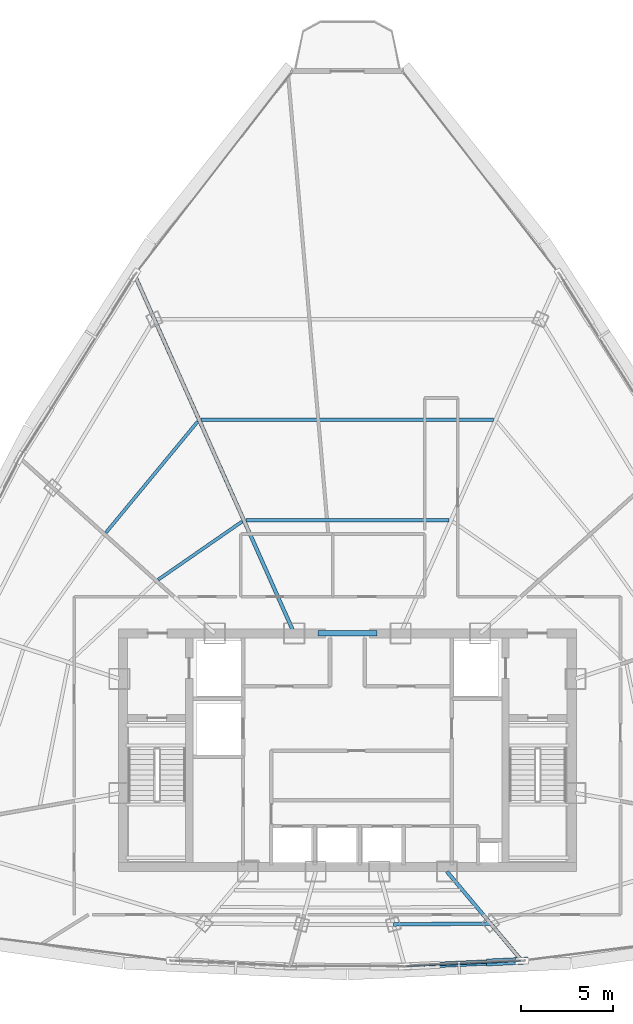
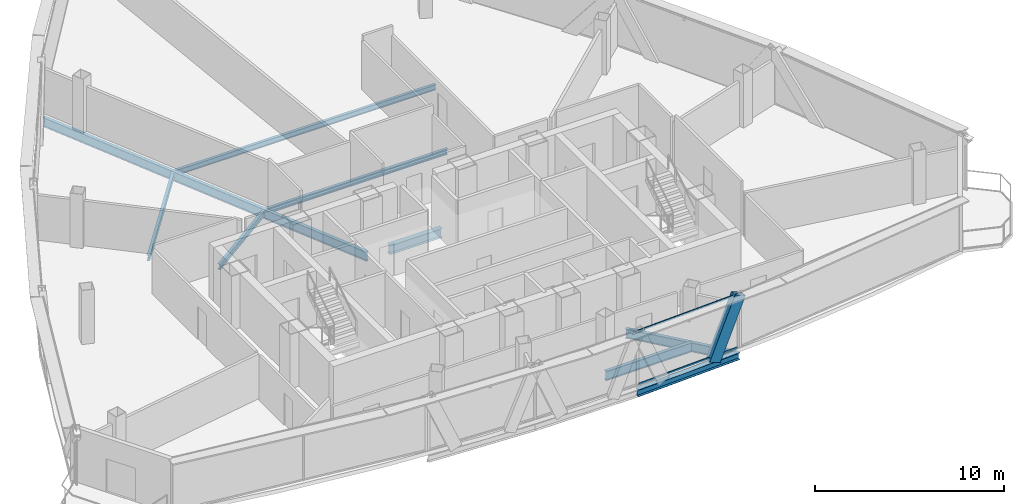
# One storey, part 10 of 30: 9 beams, 3 members, 1 element without a shape of its own.
"""IFC4 building model written with IfcOpenShell, lengths in metres."""

import ifcopenshell
import ifcopenshell.guid

model = None  # the IFC model being written
_history = None  # IfcOwnerHistory: only IFC2X3 demands one
_inside = {}  # id of a spatial element -> (the spatial element, [elements in it])
_under = {}  # id of a project, library or spatial element -> (it, [spatial elements below it])
_declared = {}  # id of a project -> (the project, [libraries it declares])
_typed = {}  # id of a type object -> (the type object, [elements of that type])
_made_of = {}  # id of a material, layer set ... -> (it, [elements and type objects made of it])


def new_model(schema):
    """Start an empty IFC model of exactly this schema.

    Asked for "IFC4X3", IfcOpenShell would pick the latest addendum, in which some entities
    have other attributes; the version numbers below select the first issue.
    IFC2X3 requires an IfcOwnerHistory on every rooted entity: one is made here for all.
    """
    global model, _history
    if schema == "IFC4X3":
        model = ifcopenshell.file(schema_version=(4, 3, 0, 0))
    else:
        model = ifcopenshell.file(schema=schema)
    _inside.clear()
    _under.clear()
    _declared.clear()
    _typed.clear()
    _made_of.clear()
    _history = None
    if model.schema == "IFC2X3":
        org = make("IfcOrganization", Name="unknown")
        user = make(
            "IfcPersonAndOrganization",
            ThePerson=make("IfcPerson", FamilyName="unknown"),
            TheOrganization=org,
        )
        app = make(
            "IfcApplication",
            ApplicationDeveloper=org,
            Version="unknown",
            ApplicationFullName="unknown",
            ApplicationIdentifier="unknown",
        )
        _history = make(
            "IfcOwnerHistory",
            OwningUser=user,
            OwningApplication=app,
            ChangeAction="ADDED",
            CreationDate=0,
        )
    return model


def make(cls, **values):
    """One entity of the class cls with the attributes given. An attribute that is None is left unset."""
    return model.create_entity(
        cls, **{name: value for name, value in values.items() if value is not None}
    )


def rooted(cls, **values):
    """An entity with a GlobalId (a new one), such as an element, a storey or a relation."""
    return make(cls, GlobalId=ifcopenshell.guid.new(), OwnerHistory=_history, **values)


def si_unit(unit_type, name, prefix=None):
    """IfcSIUnit, for example si_unit("LENGTHUNIT", "METRE", prefix="MILLI")."""
    return make("IfcSIUnit", UnitType=unit_type, Prefix=prefix, Name=name)


def assignment(units):
    """IfcUnitAssignment: the units of a project."""
    return None if units is None else make("IfcUnitAssignment", Units=units)


def point(xyz):
    """IfcCartesianPoint."""
    return None if xyz is None else make("IfcCartesianPoint", Coordinates=xyz)


def direction(xyz):
    """IfcDirection."""
    return None if xyz is None else make("IfcDirection", DirectionRatios=xyz)


def frame(location, z_axis=None, x_axis=None):
    """IfcAxis2Placement3D, a coordinate frame: its origin and axes. An axis left out is left unset."""
    return make(
        "IfcAxis2Placement3D",
        Location=point(location),
        Axis=direction(z_axis),
        RefDirection=direction(x_axis),
    )


def frame_2d(location, x_axis=None):
    """IfcAxis2Placement2D, a coordinate frame in the plane: its origin and x axis."""
    return make(
        "IfcAxis2Placement2D", Location=point(location), RefDirection=direction(x_axis)
    )


def origin():
    """The frame at (0, 0, 0) with its axes left unset."""
    return frame((0.0, 0.0, 0.0))


def origin_2d():
    """The frame at (0, 0) in the plane with its x axis left unset."""
    return frame_2d((0.0, 0.0))


def place(relative_to, where):
    """IfcLocalPlacement: puts the frame where relative to a parent placement (None: the world)."""
    return make(
        "IfcLocalPlacement", PlacementRelTo=relative_to, RelativePlacement=where
    )


def context(
    kind, dimensions, precision=None, world=None, true_north=None, identifier=None
):
    """IfcGeometricRepresentationContext, for example the 3D "Model" context."""
    return make(
        "IfcGeometricRepresentationContext",
        ContextIdentifier=identifier,
        ContextType=kind,
        CoordinateSpaceDimension=dimensions,
        Precision=precision,
        WorldCoordinateSystem=world,
        TrueNorth=true_north,
    )


def subcontext(parent, identifier, kind, view, scale=None):
    """IfcGeometricRepresentationSubContext, for example "Body" below "Model"."""
    return make(
        "IfcGeometricRepresentationSubContext",
        ContextIdentifier=identifier,
        ContextType=kind,
        ParentContext=parent,
        TargetScale=scale,
        TargetView=view,
    )


def project(units=None, contexts=None):
    """IfcProject with its units and contexts."""
    return rooted(
        "IfcProject",
        Name="project",
        RepresentationContexts=contexts,
        UnitsInContext=assignment(units),
    )


def spatial(cls, under=None, at=None, **own):
    """A site, building, storey or space (cls), placed at a placement, below another one or the project."""
    s = rooted(cls, ObjectPlacement=at, **own)
    if under is not None:
        _under.setdefault(under.id(), (under, []))[1].append(s)
    return s


def profile(cls, at=None, kind="AREA", **sizes):
    """A parametric profile (cls). Its sizes go by their IFC names, for example OverallWidth=200.0."""
    return make(cls, ProfileType=kind, Position=at, **sizes)


def hollow_rectangle(**sizes):
    """IfcRectangleHollowProfileDef."""
    return profile("IfcRectangleHollowProfileDef", **sizes)


def i_section(**sizes):
    """IfcIShapeProfileDef."""
    return profile("IfcIShapeProfileDef", **sizes)


def extrude(swept, where, along, depth):
    """IfcExtrudedAreaSolid: the profile swept, set in the frame where, extruded along a direction by depth."""
    return make(
        "IfcExtrudedAreaSolid",
        SweptArea=swept,
        Position=where,
        ExtrudedDirection=direction(along),
        Depth=depth,
    )


def shape(context_of_items, identifier, shape_type, items):
    """IfcShapeRepresentation: the items that make up one representation, for example the "Body"."""
    return make(
        "IfcShapeRepresentation",
        ContextOfItems=context_of_items,
        RepresentationIdentifier=identifier,
        RepresentationType=shape_type,
        Items=items,
    )


def source(mapping_origin, context_of_items, identifier, shape_type, items):
    """IfcRepresentationMap: a shape defined once, which mapped items show again and again."""
    return make(
        "IfcRepresentationMap",
        MappingOrigin=mapping_origin,
        MappedRepresentation=shape(context_of_items, identifier, shape_type, items),
    )


def transform(
    local_origin,
    x_axis=None,
    y_axis=None,
    z_axis=None,
    scale=None,
    scale2=None,
    scale3=None,
    uniform=True,
):
    """IfcCartesianTransformationOperator3D, or its non-uniform kind. x_axis, y_axis, z_axis: its Axis1, 2, 3."""
    if uniform:
        return make(
            "IfcCartesianTransformationOperator3D",
            Axis1=direction(x_axis),
            Axis2=direction(y_axis),
            LocalOrigin=point(local_origin),
            Scale=scale,
            Axis3=direction(z_axis),
        )
    return make(
        "IfcCartesianTransformationOperator3DnonUniform",
        Axis1=direction(x_axis),
        Axis2=direction(y_axis),
        LocalOrigin=point(local_origin),
        Scale=scale,
        Axis3=direction(z_axis),
        Scale2=scale2,
        Scale3=scale3,
    )


def mapped(mapping_source, mapping_target):
    """IfcMappedItem: shows the shape of a source again, moved by a transform."""
    return make(
        "IfcMappedItem", MappingSource=mapping_source, MappingTarget=mapping_target
    )


def material(Name=None, Category=None):
    """IfcMaterial."""
    return make("IfcMaterial", Name=Name, Category=Category)


def layer(
    of_material, thickness, ventilated=None, Name=None, Category=None, Priority=None
):
    """IfcMaterialLayer: one layer of a wall or slab, of a material (None: an air gap)."""
    return make(
        "IfcMaterialLayer",
        Material=of_material,
        LayerThickness=thickness,
        IsVentilated=ventilated,
        Name=Name,
        Category=Category,
        Priority=Priority,
    )


def layer_set(layers, Name=None):
    """IfcMaterialLayerSet."""
    return make("IfcMaterialLayerSet", MaterialLayers=layers, LayerSetName=Name)


def material_profile(
    of_material, cross_section, Name=None, Category=None, Priority=None
):
    """IfcMaterialProfile: a cross section and its material."""
    return make(
        "IfcMaterialProfile",
        Name=Name,
        Material=of_material,
        Profile=cross_section,
        Priority=Priority,
        Category=Category,
    )


def profile_set(profiles, Name=None, composite=None):
    """IfcMaterialProfileSet."""
    return make(
        "IfcMaterialProfileSet",
        Name=Name,
        MaterialProfiles=profiles,
        CompositeProfile=composite,
    )


def made_of(thing, what):
    """Note that an element or type object is made of a material, layer set ...; save() writes the relation."""
    if what is not None:
        _made_of.setdefault(what.id(), (what, []))[1].append(thing)
    return thing


def type_object(cls, material=None, **own):
    """A type object (cls), such as IfcWallType, which elements share."""
    return made_of(rooted(cls, **own), material)


def element(
    cls,
    number,
    at=None,
    inside=None,
    cuts=None,
    type_object=None,
    material=None,
    context=None,
    identifier="Body",
    shape_type=None,
    held_by="IfcProductDefinitionShape",
    body=None,
    shapes=None,
    **own,
):
    """One element of the class cls, such as IfcWall. Its Tag is "e" and its number.

    at: its placement. inside: the storey or other place that contains it. cuts: it is an
    opening in that element (IfcRelVoidsElement). A single representation is given by context,
    identifier, shape_type and body (its items); several are given by shapes. held_by: the class
    of the entity that holds the representations. save() writes the other relations.
    """
    e = rooted(cls, Tag="e%d" % number, ObjectPlacement=at, **own)
    if body is not None:
        shapes = [shape(context, identifier, shape_type, body)]
    if shapes is not None:
        e.Representation = make(held_by, Representations=shapes)
    if inside is not None:
        _inside.setdefault(inside.id(), (inside, []))[1].append(e)
    if cuts is not None:
        rooted(
            "IfcRelVoidsElement", RelatingBuildingElement=cuts, RelatedOpeningElement=e
        )
    if type_object is not None:
        _typed.setdefault(type_object.id(), (type_object, []))[1].append(e)
    return made_of(e, material)


def aggregate(whole, parts):
    """IfcRelAggregates: a whole, such as a stair, and the parts it consists of."""
    return rooted("IfcRelAggregates", RelatingObject=whole, RelatedObjects=parts)


def save(model, path):
    """Write the relations noted so far, then the file.

    IfcRelAggregates (storeys below a building ...), IfcRelContainedInSpatialStructure (elements
    in a storey), IfcRelDefinesByType, IfcRelAssociatesMaterial and IfcRelDeclares: one each for
    every whole, place, type object, material and project.
    """
    for whole, parts in _under.values():
        aggregate(whole, parts)
    for where, things in _inside.values():
        rooted(
            "IfcRelContainedInSpatialStructure",
            RelatedElements=things,
            RelatingStructure=where,
        )
    for kind, things in _typed.values():
        rooted("IfcRelDefinesByType", RelatedObjects=things, RelatingType=kind)
    for what, things in _made_of.values():
        rooted("IfcRelAssociatesMaterial", RelatedObjects=things, RelatingMaterial=what)
    for by, libraries in _declared.values():
        rooted("IfcRelDeclares", RelatingContext=by, RelatedDefinitions=libraries)
    model.write(path)


model = new_model("IFC4")

# Units and contexts
model_context = context("Model", 3, precision=1e-05, world=origin(), true_north=direction((0.0, 1.0)))
body_context = subcontext(model_context, "Body", "Model", "MODEL_VIEW")
ifc_project = project(units=[si_unit("LENGTHUNIT", "METRE"), si_unit("AREAUNIT", "SQUARE_METRE"), si_unit("VOLUMEUNIT", "CUBIC_METRE"), si_unit("PLANEANGLEUNIT", "RADIAN"), si_unit("MASSUNIT", "GRAM", prefix="KILO"), si_unit("THERMODYNAMICTEMPERATUREUNIT", "KELVIN"), si_unit("POWERUNIT", "WATT")], contexts=[model_context])

# Site, building, storey
site_placement = place(None, origin())
site = spatial("IfcSite", under=ifc_project, at=site_placement, CompositionType="ELEMENT")
building_placement = place(site_placement, origin())
building = spatial("IfcBuilding", under=site, at=building_placement, Name="Yunzhuo Pagoda Commons", CompositionType="ELEMENT")
storey_placement = place(building_placement, frame((0.0, 0.0, 348.010009765625)))
storey = spatial("IfcBuildingStorey", under=building, at=storey_placement, Name="L87", CompositionType="ELEMENT", Elevation=348.010009765625)

# Beams
ifc_material_1 = material(Name="Structural steel Q420B", Category="steel")
ifc_material_profile_1 = material_profile(ifc_material_1, i_section(OverallWidth=0.300048828125, OverallDepth=0.587890625, WebThickness=0.011962890625, FlangeThickness=0.02001953125, at=origin_2d()), Name="Structural steel Q420B")
ifc_profile_set_1 = profile_set([ifc_material_profile_1], Name="Structural steel Q420B")
beam_type_1 = type_object("IfcBeamType", Name="B-CPL Beam HM 588x300x12x20", PredefinedType="BEAM", material=ifc_profile_set_1)
shared_shape_1 = source(origin(), body_context, "Body", "SweptSolid", [
    extrude(i_section(OverallWidth=0.300048828125, OverallDepth=0.587890625, WebThickness=0.011962890625, FlangeThickness=0.02001953125, at=origin_2d()), origin(), (0.0, 0.0, 1.0), 3.2001953125),
])
beam_1_placement = place(storey_placement, frame((46.39990234375, 40.199951171875, -0.553955078125), z_axis=(1.0, 0.0, 0.0), x_axis=(0.0, 1.0, 0.0)))
element("IfcBeam", 1, at=beam_1_placement, inside=storey, type_object=beam_type_1, Name="L87 core coupling girder", PredefinedType="BEAM", context=body_context, shape_type="MappedRepresentation", body=[
    mapped(shared_shape_1, transform((0.0, 0.0, 0.0), scale=1.0)),
])
ifc_material_2 = material(Name="Structural steel Q355B", Category="steel")
ifc_material_profile_2 = material_profile(ifc_material_2, i_section(OverallWidth=0.199951171875, OverallDepth=0.60009765625, WebThickness=0.010986328125, FlangeThickness=0.01708984375, at=origin_2d()), Name="Structural steel Q355B")
ifc_profile_set_2 = profile_set([ifc_material_profile_2], Name="Structural steel Q355B")
beam_type_2 = type_object("IfcBeamType", Name="B-RG3 Beam HN 600x200x11x17", PredefinedType="BEAM", material=ifc_profile_set_2)
shared_shape_2 = source(origin(), body_context, "Body", "SweptSolid", [
    extrude(i_section(OverallWidth=0.199951171875, OverallDepth=0.60009765625, WebThickness=0.010986328125, FlangeThickness=0.01708984375, at=origin_2d()), origin(), (0.0, 0.0, 1.0), 5.286376953125),
])
beam_2_placement = place(storey_placement, frame((50.499267578125, 24.372802734375, -0.56005859375), z_axis=(0.999957341442, 0.009236627946, 0.0), x_axis=(-0.009236627946, 0.999957341442, 0.0)))
element("IfcBeam", 2, at=beam_2_placement, inside=storey, type_object=beam_type_2, Name="L87 column-ring beam 3", PredefinedType="BEAM", context=body_context, shape_type="MappedRepresentation", body=[
    mapped(shared_shape_2, transform((0.0, 0.0, 0.0), scale=1.0)),
])
ifc_material_profile_3 = material_profile(ifc_material_2, i_section(OverallWidth=0.175048828125, OverallDepth=0.35009765625, WebThickness=0.007080078125, FlangeThickness=0.010986328125, at=origin_2d()), Name="Structural steel Q355B")
ifc_profile_set_3 = profile_set([ifc_material_profile_3], Name="Structural steel Q355B")
beam_type_3 = type_object("IfcBeamType", Name="B-JS2 Joist HN 350x175x7x11", PredefinedType="JOIST", material=ifc_profile_set_3)
shared_shape_3 = source(origin(), body_context, "Body", "SweptSolid", [
    extrude(i_section(OverallWidth=0.175048828125, OverallDepth=0.35009765625, WebThickness=0.007080078125, FlangeThickness=0.010986328125, at=origin_2d()), origin(), (0.0, 0.0, 1.0), 5.556640625),
])
beam_3_placement = place(storey_placement, frame((42.273681640625, 46.28369140625, -0.43505859375), z_axis=(-0.822084621883, -0.569365326011, 0.0), x_axis=(0.569365326011, -0.822084621883, 0.0)))
element("IfcBeam", 3, at=beam_3_placement, inside=storey, type_object=beam_type_3, Name="L87 composite ring joist 1.9", PredefinedType="JOIST", context=body_context, shape_type="MappedRepresentation", body=[
    mapped(shared_shape_3, transform((0.0, 0.0, 0.0), scale=1.0)),
])
shared_shape_4 = source(origin(), body_context, "Body", "SweptSolid", [
    extrude(i_section(OverallWidth=0.175048828125, OverallDepth=0.35009765625, WebThickness=0.007080078125, FlangeThickness=0.010986328125, at=origin_2d()), origin(), (0.0, 0.0, 1.0), 7.842529296875),
])
beam_4_placement = place(storey_placement, frame((39.861328125, 51.726318359375, -0.43505859375), z_axis=(-0.636899145749, -0.770947130577, 0.0), x_axis=(0.770947130577, -0.636899145749, 0.0)))
element("IfcBeam", 4, at=beam_4_placement, inside=storey, type_object=beam_type_3, Name="L87 composite ring joist 2.9", PredefinedType="JOIST", context=body_context, shape_type="MappedRepresentation", body=[
    mapped(shared_shape_4, transform((0.0, 0.0, 0.0), scale=1.0)),
])
shared_shape_5 = source(origin(), body_context, "Body", "SweptSolid", [
    extrude(i_section(OverallWidth=0.175048828125, OverallDepth=0.35009765625, WebThickness=0.007080078125, FlangeThickness=0.010986328125, at=origin_2d()), origin(), (0.0, 0.0, 1.0), 11.03369140625),
])
beam_5_placement = place(storey_placement, frame((53.516845703125, 46.34912109375, -0.43505859375), z_axis=(-1.0, 0.0, 0.0), x_axis=(0.0, -1.0, 0.0)))
element("IfcBeam", 5, at=beam_5_placement, inside=storey, type_object=beam_type_3, Name="L87 composite ring joist 1.8", PredefinedType="JOIST", context=body_context, shape_type="MappedRepresentation", body=[
    mapped(shared_shape_5, transform((0.0, 0.0, 0.0), scale=1.0)),
])
shared_shape_6 = source(origin(), body_context, "Body", "SweptSolid", [
    extrude(i_section(OverallWidth=0.175048828125, OverallDepth=0.35009765625, WebThickness=0.007080078125, FlangeThickness=0.010986328125, at=origin_2d()), origin(), (0.0, 0.0, 1.0), 15.900390625),
])
beam_6_placement = place(storey_placement, frame((55.9501953125, 51.81494140625, -0.43505859375), z_axis=(-1.0, 0.0, 0.0), x_axis=(0.0, -1.0, 0.0)))
element("IfcBeam", 6, at=beam_6_placement, inside=storey, type_object=beam_type_3, Name="L87 composite ring joist 2.8", PredefinedType="JOIST", context=body_context, shape_type="MappedRepresentation", body=[
    mapped(shared_shape_6, transform((0.0, 0.0, 0.0), scale=1.0)),
])
shared_shape_7 = source(origin(), body_context, "Body", "SweptSolid", [
    extrude(i_section(OverallWidth=0.199951171875, OverallDepth=0.60009765625, WebThickness=0.010986328125, FlangeThickness=0.01708984375, at=origin_2d()), origin(), (0.0, 0.0, 1.0), 6.185302734375),
])
beam_7_placement = place(storey_placement, frame((57.38818359375, 22.511962890625, -0.56005859375), z_axis=(-0.642824517448, 0.766013472315, 0.0), x_axis=(-0.766013472315, -0.642824517448, 0.0)))
element("IfcBeam", 7, at=beam_7_placement, inside=storey, type_object=beam_type_2, Name="L87 radial floor girder F1C4", PredefinedType="BEAM", context=body_context, shape_type="MappedRepresentation", body=[
    mapped(shared_shape_7, transform((0.0, 0.0, 0.0), scale=1.0)),
])
shared_shape_8 = source(origin(), body_context, "Body", "SweptSolid", [
    extrude(i_section(OverallWidth=0.199951171875, OverallDepth=0.60009765625, WebThickness=0.010986328125, FlangeThickness=0.01708984375, at=origin_2d()), origin(), (0.0, 0.0, 1.0), 21.180908203125),
])
beam_8_placement = place(storey_placement, frame((36.490966796875, 59.5498046875, -0.56005859375), z_axis=(0.406731930352, -0.913547555868, 0.0), x_axis=(0.913547555868, 0.406731930352, 0.0)))
element("IfcBeam", 8, at=beam_8_placement, inside=storey, type_object=beam_type_2, Name="L87 radial floor girder F3C1", PredefinedType="BEAM", context=body_context, shape_type="MappedRepresentation", body=[
    mapped(shared_shape_8, transform((0.0, 0.0, 0.0), scale=1.0)),
])
ifc_material_profile_4 = material_profile(ifc_material_2, i_section(OverallWidth=0.300048828125, OverallDepth=0.43994140625, WebThickness=0.010986328125, FlangeThickness=0.01806640625, at=origin_2d()), Name="Structural steel Q355B")
ifc_profile_set_4 = profile_set([ifc_material_profile_4], Name="Structural steel Q355B")
beam_type_4 = type_object("IfcBeamType", Name="B-SP2 Beam HM 440x300x11x18", PredefinedType="BEAM", material=ifc_profile_set_4)
shared_shape_9 = source(origin(), body_context, "Body", "SweptSolid", [
    extrude(i_section(OverallWidth=0.300048828125, OverallDepth=0.43994140625, WebThickness=0.010986328125, FlangeThickness=0.01806640625, at=origin_2d()), origin(), (0.0, 0.0, 1.0), 6.38330078125),
])
beam_9_placement = place(storey_placement, frame((51.111572265625, 22.087890625, -0.47998046875), z_axis=(0.998852857038, 0.04788496619, 0.0), x_axis=(-0.04788496619, 0.998852857038, 0.0)))
element("IfcBeam", 9, at=beam_9_placement, inside=storey, type_object=beam_type_4, Name="L87 facade edge spandrel beam F1.3", PredefinedType="BEAM", context=body_context, shape_type="MappedRepresentation", body=[
    mapped(shared_shape_9, transform((0.0, 0.0, 0.0), scale=1.0)),
])

# Member
ifc_material_profile_5 = material_profile(ifc_material_2, hollow_rectangle(XDim=0.3798828125, YDim=0.719970703125, WallThickness=0.02001953125, at=origin_2d()), Name="Structural steel Q355B")
ifc_profile_set_5 = profile_set([ifc_material_profile_5], Name="Structural steel Q355B")
member_type_1 = type_object("IfcMemberType", Name="M-DL3 Brace BOX 720x380x20", PredefinedType="BRACE", material=ifc_profile_set_5)
shared_shape_10 = source(origin(), body_context, "Body", "SweptSolid", [
    extrude(hollow_rectangle(XDim=0.3798828125, YDim=0.719970703125, WallThickness=0.02001953125, at=origin_2d()), origin(), (0.0, 0.0, 1.0), 4.075439453125),
])
member_1_placement = place(storey_placement, frame((55.8935546875, 22.317138671875, -0.260009765625), z_axis=(0.391122616009, 0.018750402636, 0.92014755428), x_axis=(-0.04788496619, 0.998852857038, 0.0)))
element("IfcMember", 10, at=member_1_placement, inside=storey, type_object=member_type_1, Name="L87 facade diamond brace F1.3R", PredefinedType="BRACE", context=body_context, shape_type="MappedRepresentation", body=[
    mapped(shared_shape_10, transform((0.0, 0.0, 0.0), scale=1.0)),
])

# Curtain wall, members
ifc_material_3 = material(Name="Anodized aluminium 6063-T6", Category="aluminium")
ifc_layer = layer(ifc_material_3, 0.139892578125)
ifc_layer_set = layer_set([ifc_layer], Name="Anodized aluminium 6063-T6")
curtain_wall_type = type_object("IfcCurtainWallType", Name="CW-HI High-Zone Ribbon Curtain Wall", PredefinedType="NOTDEFINED", material=ifc_layer_set)
curtain_wall_placement = place(storey_placement, origin())
curtain_wall = element("IfcCurtainWall", 11, at=curtain_wall_placement, inside=storey, type_object=curtain_wall_type, Name="L87 curtain wall CW-L87-F1B4", PredefinedType="NOTDEFINED")
ifc_material_profile_6 = material_profile(ifc_material_3, hollow_rectangle(XDim=0.054931640625, YDim=0.1201171875, WallThickness=0.00341796875, at=origin_2d()), Name="Anodized aluminium 6063-T6")
ifc_profile_set_6 = profile_set([ifc_material_profile_6], Name="Anodized aluminium 6063-T6")
member_type_2 = type_object("IfcMemberType", Name="CW-HI-T Transom RHS 120x55x3.5", PredefinedType="USERDEFINED", material=ifc_profile_set_6)
shared_shape_11 = source(origin(), body_context, "Body", "SweptSolid", [
    extrude(hollow_rectangle(XDim=0.054931640625, YDim=0.1201171875, WallThickness=0.00341796875, at=origin_2d()), origin(), (0.0, 0.0, 1.0), 6.26318359375),
])
member_2_placement = place(storey_placement, frame((51.17138671875, 22.090576171875, 0.027587890625), z_axis=(0.998853717259, 0.047867019114, 0.0), x_axis=(-0.047867019114, 0.998853717259, 0.0)))
member_2 = element("IfcMember", 12, at=member_2_placement, type_object=member_type_2, Name="CW transom 1.1", ObjectType="TRANSOM", PredefinedType="USERDEFINED", context=body_context, shape_type="MappedRepresentation", body=[
    mapped(shared_shape_11, transform((0.0, 0.0, 0.0), scale=1.0)),
])
member_3_placement = place(storey_placement, frame((51.17138671875, 22.090576171875, 3.46240234375), z_axis=(0.998853717259, 0.047867019114, 0.0), x_axis=(-0.047867019114, 0.998853717259, 0.0)))
member_3 = element("IfcMember", 13, at=member_3_placement, type_object=member_type_2, Name="CW transom 1.2", ObjectType="TRANSOM", PredefinedType="USERDEFINED", context=body_context, shape_type="MappedRepresentation", body=[
    mapped(shared_shape_11, transform((0.0, 0.0, 0.0), scale=1.0)),
])
aggregate(curtain_wall, [member_2, member_3])

save(model, "model.ifc")
